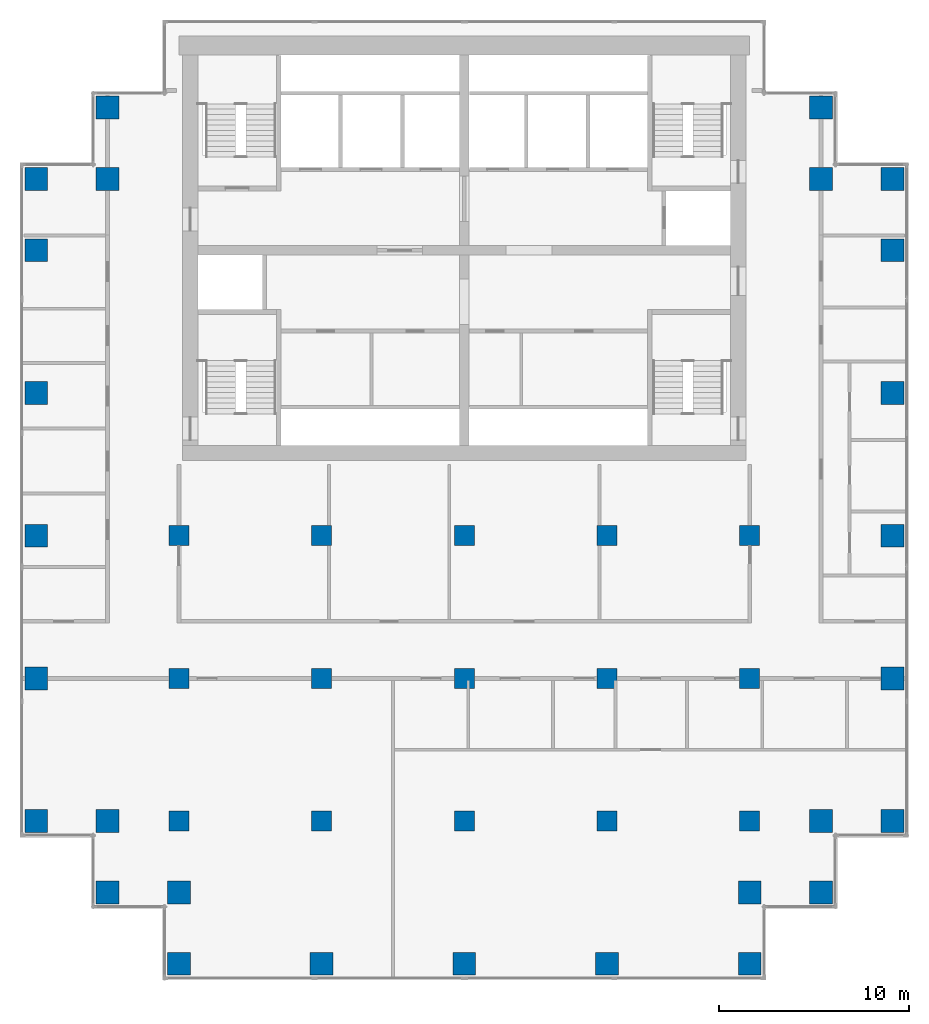
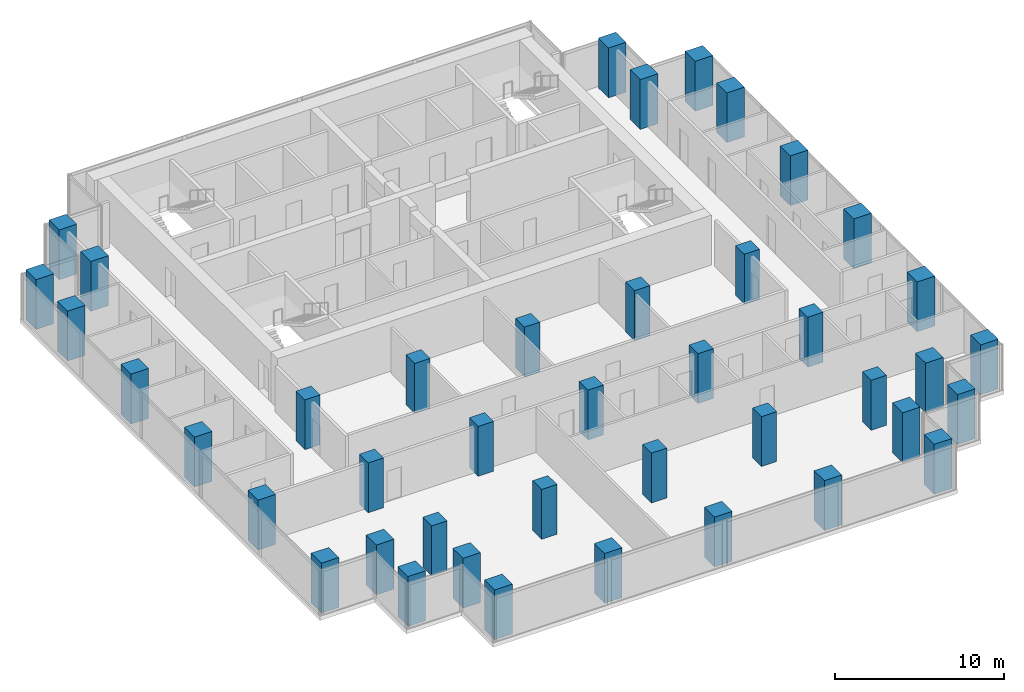
# One storey, part 1 of 10: 42 columns.
"""IFC4 building model written with IfcOpenShell, lengths in metres."""

from ifc_helpers import new_model, si_unit, direction, frame, origin, origin_2d, place, context, subcontext, project, spatial, rectangle, extrude, material, material_profile, profile_set, type_object, element, save


model = new_model("IFC4")

# Units and contexts
model_context = context("Model", 3, precision=1e-05, world=origin(), true_north=direction((0.0, 1.0)))
body_context = subcontext(model_context, "Body", "Model", "MODEL_VIEW")
ifc_project = project(units=[si_unit("LENGTHUNIT", "METRE"), si_unit("AREAUNIT", "SQUARE_METRE"), si_unit("VOLUMEUNIT", "CUBIC_METRE"), si_unit("PLANEANGLEUNIT", "RADIAN"), si_unit("MASSUNIT", "GRAM", prefix="KILO")], contexts=[model_context])

# Site, building, storey
site_placement = place(None, origin())
site = spatial("IfcSite", under=ifc_project, at=site_placement, CompositionType="ELEMENT")
building_placement = place(site_placement, origin())
building = spatial("IfcBuilding", under=site, at=building_placement, Name="Pilkhan Gate Tower", CompositionType="ELEMENT")
storey_placement = place(building_placement, frame((0.0, 0.0, 162.10009765625)))
storey = spatial("IfcBuildingStorey", under=building, at=storey_placement, Name="L41", CompositionType="ELEMENT", Elevation=162.10009765625)

# Columns
ifc_material = material(Name="Concrete C60/75", Category="concrete")
ifc_material_profile_1 = material_profile(ifc_material, rectangle(XDim=1.050048828125, YDim=1.050048828125, at=origin_2d()), Name="RC 1050x1050")
ifc_profile_set_1 = profile_set([ifc_material_profile_1], Name="Concrete C60/75")
column_type_1 = type_object("IfcColumnType", Name="Column C105 RC 1050x1050 C60/75", PredefinedType="COLUMN", material=ifc_profile_set_1)
for number, where, z_axis, x_axis, name in (
    (1, (60.0, 52.5, 0.0), (0.0, 0.0, 1.0), (1.0, 0.0, 0.0), "Column 7/D L41"),
    (2, (60.0, 60.0, 0.0), (0.0, 0.0, 1.0), (1.0, 0.0, 0.0), "Column 7/F L41"),
    (3, (60.0, 67.5, 0.0), (0.0, 0.0, 1.0), (1.0, 0.0, 0.0), "Column 7/H L41"),
    (4, (67.5, 52.5, 0.0), (0.0, 0.0, 1.0), (1.0, 0.0, 0.0), "Column 9/D L41"),
    (5, (67.5, 60.0, 0.0), (0.0, 0.0, 1.0), (1.0, 0.0, 0.0), "Column 9/F L41"),
    (6, (67.5, 67.5, 0.0), (0.0, 0.0, 1.0), (1.0, 0.0, 0.0), "Column 9/H L41"),
    (7, (75.0, 52.5, 0.0), (0.0, 0.0, 1.0), (1.0, 0.0, 0.0), "Column 11/D L41"),
    (8, (75.0, 60.0, 0.0), (0.0, 0.0, 1.0), (1.0, 0.0, 0.0), "Column 11/F L41"),
    (9, (75.0, 67.5, 0.0), (0.0, 0.0, 1.0), (1.0, 0.0, 0.0), "Column 11/H L41"),
    (10, (82.5, 52.5, 0.0), (0.0, 0.0, 1.0), (1.0, 0.0, 0.0), "Column 13/D L41"),
    (11, (82.5, 60.0, 0.0), (0.0, 0.0, 1.0), (1.0, 0.0, 0.0), "Column 13/F L41"),
    (12, (82.5, 67.5, 0.0), (0.0, 0.0, 1.0), (1.0, 0.0, 0.0), "Column 13/H L41"),
    (13, (90.0, 52.5, 0.0), (0.0, 0.0, 1.0), (1.0, 0.0, 0.0), "Column 15/D L41"),
    (14, (90.0, 60.0, 0.0), (0.0, 0.0, 1.0), (1.0, 0.0, 0.0), "Column 15/F L41"),
    (15, (90.0, 67.5, 0.0), (0.0, 0.0, 1.0), (1.0, 0.0, 0.0), "Column 15/H L41"),
):
    element("IfcColumn", number, at=place(storey_placement, frame(where, z_axis=z_axis, x_axis=x_axis)), inside=storey, type_object=column_type_1, Name=name, PredefinedType="COLUMN", context=body_context, shape_type="SweptSolid", body=[
        extrude(rectangle(XDim=1.050048828125, YDim=1.050048828125, at=origin_2d()), origin(), (0.0, 0.0, 1.0), 3.599853515625),
    ])
ifc_material_profile_2 = material_profile(ifc_material, rectangle(XDim=1.199951171875, YDim=1.199951171875, at=origin_2d()), Name="RC 1200x1200")
ifc_profile_set_2 = profile_set([ifc_material_profile_2], Name="Concrete C60/75")
column_type_2 = type_object("IfcColumnType", Name="Column C120 RC 1200x1200 C60/75", PredefinedType="COLUMN", material=ifc_profile_set_2)
for number, where, z_axis, x_axis, name in (
    (16, (52.5, 52.5, 0.0), (0.0, 0.0, 1.0), (1.0, 0.0, 0.0), "Column 5/D L41"),
    (17, (52.5, 60.0, 0.0), (0.0, 0.0, 1.0), (1.0, 0.0, 0.0), "Column 5/F L41"),
    (18, (52.5, 67.5, 0.0), (0.0, 0.0, 1.0), (1.0, 0.0, 0.0), "Column 5/H L41"),
    (19, (52.5, 75.0, 0.0), (0.0, 0.0, 1.0), (1.0, 0.0, 0.0), "Column 5/K L41"),
    (20, (52.5, 82.5, 0.0), (0.0, 0.0, 1.0), (1.0, 0.0, 0.0), "Column 5/M L41"),
    (21, (52.5, 86.25, 0.0), (0.0, 0.0, 1.0), (1.0, 0.0, 0.0), "Column 5/N L41"),
    (22, (56.25, 48.75, 0.0), (0.0, 0.0, 1.0), (1.0, 0.0, 0.0), "Column 6/C L41"),
    (23, (56.25, 52.5, 0.0), (0.0, 0.0, 1.0), (1.0, 0.0, 0.0), "Column 6/D L41"),
    (24, (56.25, 86.25, 0.0), (0.0, 0.0, 1.0), (1.0, 0.0, 0.0), "Column 6/N L41"),
    (25, (56.25, 90.0, 0.0), (0.0, 0.0, 1.0), (1.0, 0.0, 0.0), "Column 6/P L41"),
    (26, (60.0, 45.0, 0.0), (0.0, 0.0, 1.0), (1.0, 0.0, 0.0), "Column 7/B L41"),
    (27, (60.0, 48.75, 0.0), (0.0, 0.0, 1.0), (1.0, 0.0, 0.0), "Column 7/C L41"),
    (28, (67.5, 45.0, 0.0), (0.0, 0.0, 1.0), (1.0, 0.0, 0.0), "Column 9/B L41"),
    (29, (75.0, 45.0, 0.0), (0.0, 0.0, 1.0), (1.0, 0.0, 0.0), "Column 11/B L41"),
    (30, (82.5, 45.0, 0.0), (0.0, 0.0, 1.0), (1.0, 0.0, 0.0), "Column 13/B L41"),
    (31, (90.0, 45.0, 0.0), (0.0, 0.0, 1.0), (1.0, 0.0, 0.0), "Column 15/B L41"),
    (32, (90.0, 48.75, 0.0), (0.0, 0.0, 1.0), (1.0, 0.0, 0.0), "Column 15/C L41"),
    (33, (93.75, 48.75, 0.0), (0.0, 0.0, 1.0), (1.0, 0.0, 0.0), "Column 16/C L41"),
    (34, (93.75, 52.5, 0.0), (0.0, 0.0, 1.0), (1.0, 0.0, 0.0), "Column 16/D L41"),
    (35, (93.75, 86.25, 0.0), (0.0, 0.0, 1.0), (1.0, 0.0, 0.0), "Column 16/N L41"),
    (36, (93.75, 90.0, 0.0), (0.0, 0.0, 1.0), (1.0, 0.0, 0.0), "Column 16/P L41"),
    (37, (97.5, 52.5, 0.0), (0.0, 0.0, 1.0), (1.0, 0.0, 0.0), "Column 17/D L41"),
    (38, (97.5, 60.0, 0.0), (0.0, 0.0, 1.0), (1.0, 0.0, 0.0), "Column 17/F L41"),
    (39, (97.5, 67.5, 0.0), (0.0, 0.0, 1.0), (1.0, 0.0, 0.0), "Column 17/H L41"),
    (40, (97.5, 75.0, 0.0), (0.0, 0.0, 1.0), (1.0, 0.0, 0.0), "Column 17/K L41"),
    (41, (97.5, 82.5, 0.0), (0.0, 0.0, 1.0), (1.0, 0.0, 0.0), "Column 17/M L41"),
    (42, (97.5, 86.25, 0.0), (0.0, 0.0, 1.0), (1.0, 0.0, 0.0), "Column 17/N L41"),
):
    element("IfcColumn", number, at=place(storey_placement, frame(where, z_axis=z_axis, x_axis=x_axis)), inside=storey, type_object=column_type_2, Name=name, PredefinedType="COLUMN", context=body_context, shape_type="SweptSolid", body=[
        extrude(rectangle(XDim=1.199951171875, YDim=1.199951171875, at=origin_2d()), origin(), (0.0, 0.0, 1.0), 3.599853515625),
    ])

save(model, "model.ifc")
